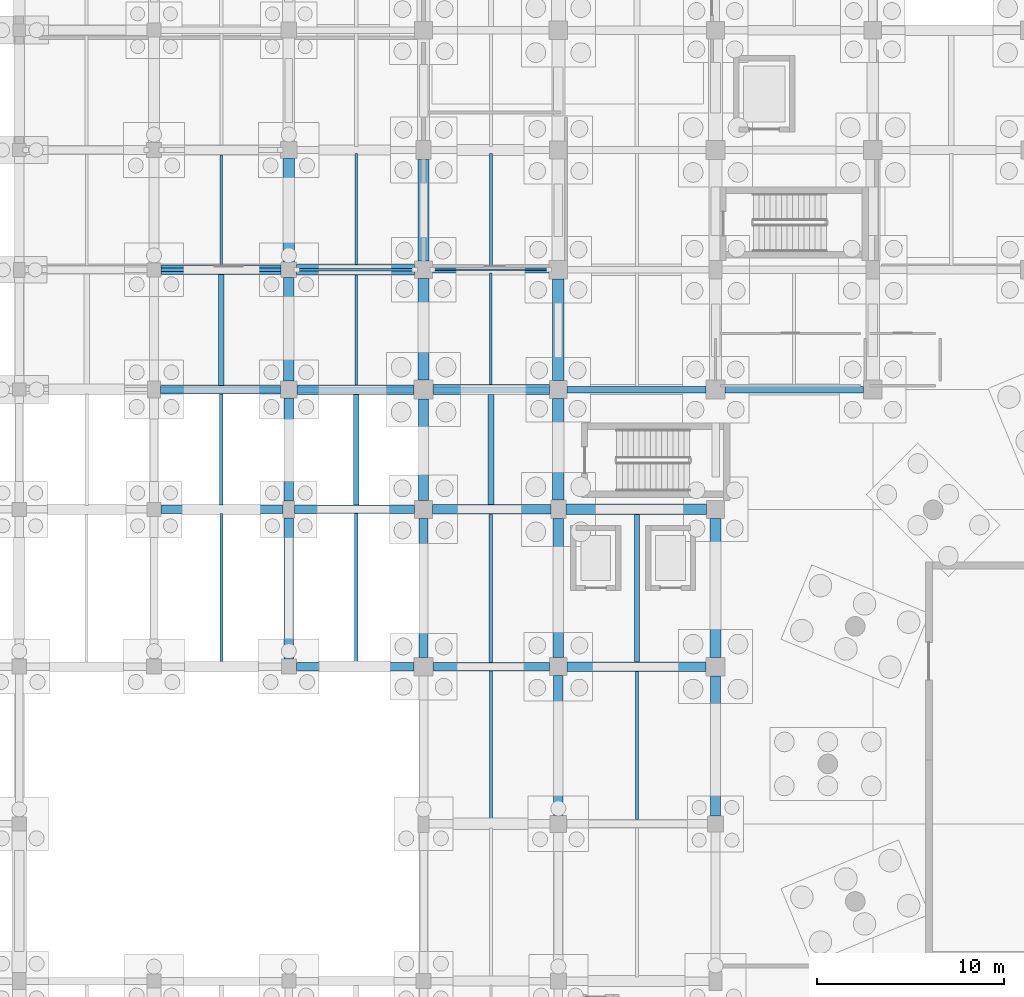
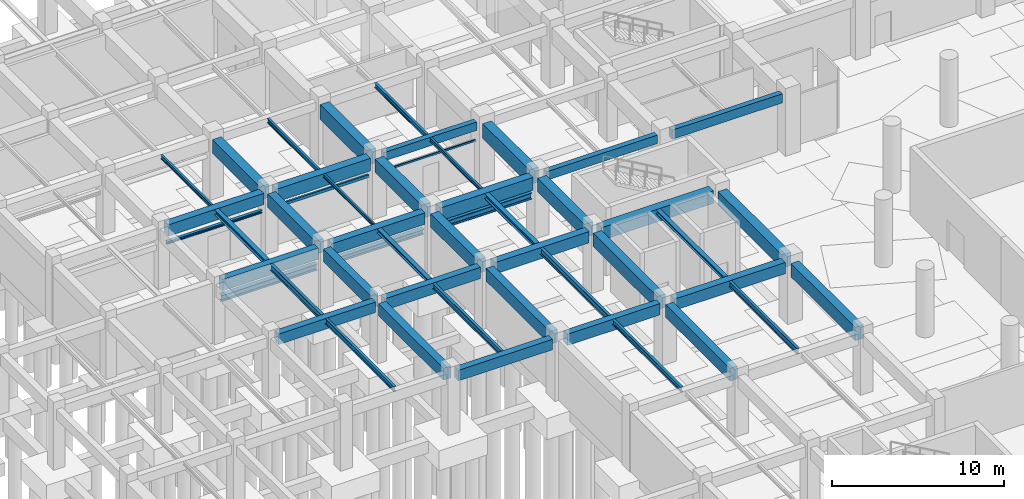
# One storey, part 22 of 44: 48 beams, 2 members.
"""IFC4 building model written with IfcOpenShell, lengths in metres."""

from ifc_helpers import new_model, si_unit, direction, frame, origin, origin_2d, place, context, subcontext, project, spatial, rectangle, hollow_rectangle, i_section, extrude, material, material_profile, profile_set, type_object, element, save


model = new_model("IFC4")

# Units and contexts
model_context = context("Model", 3, precision=1e-05, world=origin(), true_north=direction((0.0, 1.0)))
body_context = subcontext(model_context, "Body", "Model", "MODEL_VIEW")
ifc_project = project(units=[si_unit("LENGTHUNIT", "METRE"), si_unit("AREAUNIT", "SQUARE_METRE"), si_unit("VOLUMEUNIT", "CUBIC_METRE"), si_unit("PLANEANGLEUNIT", "RADIAN"), si_unit("MASSUNIT", "GRAM", prefix="KILO")], contexts=[model_context])

# Site, building, storey
site_placement = place(None, origin())
site = spatial("IfcSite", under=ifc_project, at=site_placement, CompositionType="ELEMENT")
building_placement = place(site_placement, origin())
building = spatial("IfcBuilding", under=site, at=building_placement, Name="Korsvaeld Concert Hall", CompositionType="ELEMENT")
storey_placement = place(building_placement, frame((0.0, 0.0, -4.800048828125)))
storey = spatial("IfcBuildingStorey", under=building, at=storey_placement, Name="B1", CompositionType="ELEMENT", Elevation=-4.800048828125)

# Beams
ifc_material_1 = material(Name="Steel S355J2", Category="steel")
ifc_material_profile_1 = material_profile(ifc_material_1, i_section(OverallWidth=0.199951171875, OverallDepth=0.18994140625, WebThickness=0.006591796875, FlangeThickness=0.010009765625, FilletRadius=0.01806640625, at=origin_2d()), Name="HEA 200")
ifc_profile_set_1 = profile_set([ifc_material_profile_1], Name="Steel S355J2")
beam_type_1 = type_object("IfcBeamType", Name="BM-LN-HEA200", PredefinedType="LINTEL", material=ifc_profile_set_1)
beam_1_placement = place(storey_placement, frame((29.175048828125, 89.60009765625, 2.85009765625), z_axis=(1.0, 0.0, 0.0), x_axis=(0.0, 1.0, 0.0)))
element("IfcBeam", 1, at=beam_1_placement, inside=storey, type_object=beam_type_1, Name="Basement lateral frame strut 10", PredefinedType="LINTEL", context=body_context, shape_type="SweptSolid", body=[
    extrude(i_section(OverallWidth=0.199951171875, OverallDepth=0.18994140625, WebThickness=0.006591796875, FlangeThickness=0.010009765625, FilletRadius=0.01806640625, at=origin_2d()), origin(), (0.0, 0.0, 1.0), 6.39990234375),
])
ifc_material_2 = material(Name="Concrete C35/45", Category="concrete")
ifc_material_profile_2 = material_profile(ifc_material_2, rectangle(XDim=0.35009765625, YDim=0.60009765625, at=origin_2d()), Name="RC 350x600")
ifc_profile_set_2 = profile_set([ifc_material_profile_2], Name="Concrete C35/45")
beam_type_2 = type_object("IfcBeamType", Name="BM-RC-350x600", PredefinedType="T_BEAM", material=ifc_profile_set_2)
beam_2_placement = place(storey_placement, frame((50.875, 83.199951171875, 3.949951171875), z_axis=(1.0, 0.0, 0.0), x_axis=(0.0, 1.0, 0.0)))
element("IfcBeam", 2, at=beam_2_placement, inside=storey, type_object=beam_type_2, Name="Primary girder 8-9/M B1", PredefinedType="T_BEAM", context=body_context, shape_type="SweptSolid", body=[
    extrude(rectangle(XDim=0.35009765625, YDim=0.60009765625, at=origin_2d()), origin(), (0.0, 0.0, 1.0), 7.425048828125),
])
beam_3_placement = place(storey_placement, frame((43.675048828125, 89.60009765625, 3.949951171875), z_axis=(1.0, 0.0, 0.0), x_axis=(0.0, 1.0, 0.0)))
element("IfcBeam", 3, at=beam_3_placement, inside=storey, type_object=beam_type_2, Name="Primary girder 7-8/N B1", PredefinedType="T_BEAM", context=body_context, shape_type="SweptSolid", body=[
    extrude(rectangle(XDim=0.35009765625, YDim=0.60009765625, at=origin_2d()), origin(), (0.0, 0.0, 1.0), 6.224853515625),
])
ifc_material_profile_3 = material_profile(ifc_material_2, rectangle(XDim=0.35009765625, YDim=0.64990234375, at=origin_2d()), Name="RC 350x650")
ifc_profile_set_3 = profile_set([ifc_material_profile_3], Name="Concrete C35/45")
beam_type_3 = type_object("IfcBeamType", Name="BM-RC-350x650", PredefinedType="T_BEAM", material=ifc_profile_set_3)
beam_4_placement = place(storey_placement, frame((59.300048828125, 83.199951171875, 3.925048828125), z_axis=(1.0, 0.0, 0.0), x_axis=(0.0, 1.0, 0.0)))
element("IfcBeam", 4, at=beam_4_placement, inside=storey, type_object=beam_type_3, Name="Primary girder 9-10/M B1", PredefinedType="T_BEAM", context=body_context, shape_type="SweptSolid", body=[
    extrude(rectangle(XDim=0.35009765625, YDim=0.64990234375, at=origin_2d()), origin(), (0.0, 0.0, 1.0), 7.39990234375),
])
ifc_material_profile_4 = material_profile(ifc_material_2, rectangle(XDim=0.449951171875, YDim=0.75, at=origin_2d()), Name="RC 450x750")
ifc_profile_set_4 = profile_set([ifc_material_profile_4], Name="Concrete C35/45")
beam_type_4 = type_object("IfcBeamType", Name="BM-RC-450x750", PredefinedType="T_BEAM", material=ifc_profile_set_4)
beam_5_placement = place(storey_placement, frame((36.39990234375, 68.39990234375, 3.875), z_axis=(1.0, 0.0, 0.0), x_axis=(0.0, 1.0, 0.0)))
element("IfcBeam", 5, at=beam_5_placement, inside=storey, type_object=beam_type_4, Name="Primary girder 6-7/K B1", PredefinedType="T_BEAM", context=body_context, shape_type="SweptSolid", body=[
    extrude(rectangle(XDim=0.449951171875, YDim=0.75, at=origin_2d()), origin(), (0.0, 0.0, 1.0), 6.300048828125),
])
beam_6_placement = place(storey_placement, frame((29.175048828125, 76.800048828125, 3.875), z_axis=(1.0, 0.0, 0.0), x_axis=(0.0, 1.0, 0.0)))
element("IfcBeam", 6, at=beam_6_placement, inside=storey, type_object=beam_type_4, Name="Primary girder 5-6/L B1", PredefinedType="T_BEAM", context=body_context, shape_type="SweptSolid", body=[
    extrude(rectangle(XDim=0.449951171875, YDim=0.75, at=origin_2d()), origin(), (0.0, 0.0, 1.0), 6.52490234375),
])
ifc_material_profile_5 = material_profile(ifc_material_2, rectangle(XDim=0.449951171875, YDim=0.800048828125, at=origin_2d()), Name="RC 450x800")
ifc_profile_set_5 = profile_set([ifc_material_profile_5], Name="Concrete C35/45")
beam_type_5 = type_object("IfcBeamType", Name="BM-RC-450x800", PredefinedType="T_BEAM", material=ifc_profile_set_5)
beam_7_placement = place(storey_placement, frame((43.699951171875, 68.39990234375, 3.85009765625), z_axis=(1.0, 0.0, 0.0), x_axis=(0.0, 1.0, 0.0)))
element("IfcBeam", 7, at=beam_7_placement, inside=storey, type_object=beam_type_5, Name="Primary girder 7-8/K B1", PredefinedType="T_BEAM", context=body_context, shape_type="SweptSolid", body=[
    extrude(rectangle(XDim=0.449951171875, YDim=0.800048828125, at=origin_2d()), origin(), (0.0, 0.0, 1.0), 6.22509765625),
])
beam_8_placement = place(storey_placement, frame((36.300048828125, 76.800048828125, 3.85009765625), z_axis=(1.0, 0.0, 0.0), x_axis=(0.0, 1.0, 0.0)))
element("IfcBeam", 8, at=beam_8_placement, inside=storey, type_object=beam_type_5, Name="Primary girder 6-7/L B1", PredefinedType="T_BEAM", context=body_context, shape_type="SweptSolid", body=[
    extrude(rectangle(XDim=0.449951171875, YDim=0.800048828125, at=origin_2d()), origin(), (0.0, 0.0, 1.0), 6.425048828125),
])
beam_9_placement = place(storey_placement, frame((29.14990234375, 83.199951171875, 3.85009765625), z_axis=(1.0, 0.0, 0.0), x_axis=(0.0, 1.0, 0.0)))
element("IfcBeam", 9, at=beam_9_placement, inside=storey, type_object=beam_type_5, Name="Primary girder 5-6/M B1", PredefinedType="T_BEAM", context=body_context, shape_type="SweptSolid", body=[
    extrude(rectangle(XDim=0.449951171875, YDim=0.800048828125, at=origin_2d()), origin(), (0.0, 0.0, 1.0), 6.400146484375),
])
ifc_material_3 = material(Name="Concrete C40/50", Category="concrete")
ifc_material_profile_6 = material_profile(ifc_material_3, rectangle(XDim=0.5, YDim=0.800048828125, at=origin_2d()), Name="RC 500x800")
ifc_profile_set_6 = profile_set([ifc_material_profile_6], Name="Concrete C40/50")
beam_type_6 = type_object("IfcBeamType", Name="BM-RC-500x800", PredefinedType="T_BEAM", material=ifc_profile_set_6)
beam_10_placement = place(storey_placement, frame((50.875, 68.39990234375, 3.85009765625), z_axis=(1.0, 0.0, 0.0), x_axis=(0.0, 1.0, 0.0)))
element("IfcBeam", 10, at=beam_10_placement, inside=storey, type_object=beam_type_6, Name="Primary girder 8-9/K B1", PredefinedType="T_BEAM", context=body_context, shape_type="SweptSolid", body=[
    extrude(rectangle(XDim=0.5, YDim=0.800048828125, at=origin_2d()), origin(), (0.0, 0.0, 1.0), 7.425048828125),
])
beam_11_placement = place(storey_placement, frame((43.675048828125, 76.800048828125, 3.85009765625), z_axis=(1.0, 0.0, 0.0), x_axis=(0.0, 1.0, 0.0)))
element("IfcBeam", 11, at=beam_11_placement, inside=storey, type_object=beam_type_6, Name="Primary girder 7-8/L B1", PredefinedType="T_BEAM", context=body_context, shape_type="SweptSolid", body=[
    extrude(rectangle(XDim=0.5, YDim=0.800048828125, at=origin_2d()), origin(), (0.0, 0.0, 1.0), 6.324951171875),
])
beam_12_placement = place(storey_placement, frame((36.449951171875, 83.199951171875, 3.85009765625), z_axis=(1.0, 0.0, 0.0), x_axis=(0.0, 1.0, 0.0)))
element("IfcBeam", 12, at=beam_12_placement, inside=storey, type_object=beam_type_6, Name="Primary girder 6-7/M B1", PredefinedType="T_BEAM", context=body_context, shape_type="SweptSolid", body=[
    extrude(rectangle(XDim=0.5, YDim=0.800048828125, at=origin_2d()), origin(), (0.0, 0.0, 1.0), 6.25),
])
beam_13_placement = place(storey_placement, frame((29.175048828125, 89.60009765625, 3.85009765625), z_axis=(1.0, 0.0, 0.0), x_axis=(0.0, 1.0, 0.0)))
element("IfcBeam", 13, at=beam_13_placement, inside=storey, type_object=beam_type_6, Name="Primary girder 5-6/N B1", PredefinedType="T_BEAM", context=body_context, shape_type="SweptSolid", body=[
    extrude(rectangle(XDim=0.5, YDim=0.800048828125, at=origin_2d()), origin(), (0.0, 0.0, 1.0), 6.39990234375),
])
ifc_material_profile_7 = material_profile(ifc_material_3, rectangle(XDim=0.5, YDim=0.85009765625, at=origin_2d()), Name="RC 500x850")
ifc_profile_set_7 = profile_set([ifc_material_profile_7], Name="Concrete C40/50")
beam_type_7 = type_object("IfcBeamType", Name="BM-RC-500x850", PredefinedType="T_BEAM", material=ifc_profile_set_7)
beam_14_placement = place(storey_placement, frame((36.0, 68.800048828125, 3.824951171875), z_axis=(0.0, 1.0, 0.0), x_axis=(-1.0, 0.0, 0.0)))
element("IfcBeam", 14, at=beam_14_placement, inside=storey, type_object=beam_type_7, Name="Primary girder 6/K-L B1", PredefinedType="T_BEAM", context=body_context, shape_type="SweptSolid", body=[
    extrude(rectangle(XDim=0.5, YDim=0.85009765625, at=origin_2d()), origin(), (0.0, 0.0, 1.0), 7.550048828125),
])
ifc_material_profile_8 = material_profile(ifc_material_3, rectangle(XDim=0.5, YDim=0.89990234375, at=origin_2d()), Name="RC 500x900")
ifc_profile_set_8 = profile_set([ifc_material_profile_8], Name="Concrete C40/50")
beam_type_8 = type_object("IfcBeamType", Name="BM-RC-500x900", PredefinedType="T_BEAM", material=ifc_profile_set_8)
beam_15_placement = place(storey_placement, frame((36.0, 77.25, 3.800048828125), z_axis=(0.0, 1.0, 0.0), x_axis=(-1.0, 0.0, 0.0)))
element("IfcBeam", 15, at=beam_15_placement, inside=storey, type_object=beam_type_8, Name="Primary girder 6/L-M B1", PredefinedType="T_BEAM", context=body_context, shape_type="SweptSolid", body=[
    extrude(rectangle(XDim=0.5, YDim=0.89990234375, at=origin_2d()), origin(), (0.0, 0.0, 1.0), 5.5),
])
beam_16_placement = place(storey_placement, frame((43.199951171875, 68.89990234375, 3.800048828125), z_axis=(0.0, 1.0, 0.0), x_axis=(-1.0, 0.0, 0.0)))
element("IfcBeam", 16, at=beam_16_placement, inside=storey, type_object=beam_type_8, Name="Primary girder 7/K-L B1", PredefinedType="T_BEAM", context=body_context, shape_type="SweptSolid", body=[
    extrude(rectangle(XDim=0.5, YDim=0.89990234375, at=origin_2d()), origin(), (0.0, 0.0, 1.0), 7.425048828125),
])
beam_17_placement = place(storey_placement, frame((50.39990234375, 60.449951171875, 3.800048828125), z_axis=(0.0, 1.0, 0.0), x_axis=(-1.0, 0.0, 0.0)))
element("IfcBeam", 17, at=beam_17_placement, inside=storey, type_object=beam_type_8, Name="Primary girder 8/J-K B1", PredefinedType="T_BEAM", context=body_context, shape_type="SweptSolid", body=[
    extrude(rectangle(XDim=0.5, YDim=0.89990234375, at=origin_2d()), origin(), (0.0, 0.0, 1.0), 7.47509765625),
])
ifc_material_profile_9 = material_profile(ifc_material_3, rectangle(XDim=0.550048828125, YDim=0.89990234375, at=origin_2d()), Name="RC 550x900")
ifc_profile_set_9 = profile_set([ifc_material_profile_9], Name="Concrete C40/50")
beam_type_9 = type_object("IfcBeamType", Name="BM-RC-550x900", PredefinedType="T_BEAM", material=ifc_profile_set_9)
beam_18_placement = place(storey_placement, frame((50.800048828125, 76.800048828125, 3.800048828125), z_axis=(1.0, 0.0, 0.0), x_axis=(0.0, 1.0, 0.0)))
element("IfcBeam", 18, at=beam_18_placement, inside=storey, type_object=beam_type_9, Name="Primary girder 8-9/L B1", PredefinedType="T_BEAM", context=body_context, shape_type="SweptSolid", body=[
    extrude(rectangle(XDim=0.550048828125, YDim=0.89990234375, at=origin_2d()), origin(), (0.0, 0.0, 1.0), 7.52490234375),
])
beam_19_placement = place(storey_placement, frame((43.699951171875, 83.199951171875, 3.800048828125), z_axis=(1.0, 0.0, 0.0), x_axis=(0.0, 1.0, 0.0)))
element("IfcBeam", 19, at=beam_19_placement, inside=storey, type_object=beam_type_9, Name="Primary girder 7-8/M B1", PredefinedType="T_BEAM", context=body_context, shape_type="SweptSolid", body=[
    extrude(rectangle(XDim=0.550048828125, YDim=0.89990234375, at=origin_2d()), origin(), (0.0, 0.0, 1.0), 6.22509765625),
])
beam_20_placement = place(storey_placement, frame((36.425048828125, 89.60009765625, 3.800048828125), z_axis=(1.0, 0.0, 0.0), x_axis=(0.0, 1.0, 0.0)))
element("IfcBeam", 20, at=beam_20_placement, inside=storey, type_object=beam_type_9, Name="Primary girder 6-7/N B1", PredefinedType="T_BEAM", context=body_context, shape_type="SweptSolid", body=[
    extrude(rectangle(XDim=0.550048828125, YDim=0.89990234375, at=origin_2d()), origin(), (0.0, 0.0, 1.0), 6.300048828125),
])
ifc_material_profile_10 = material_profile(ifc_material_3, rectangle(XDim=0.550048828125, YDim=0.949951171875, at=origin_2d()), Name="RC 550x950")
ifc_profile_set_10 = profile_set([ifc_material_profile_10], Name="Concrete C40/50")
beam_type_10 = type_object("IfcBeamType", Name="BM-RC-550x950", PredefinedType="T_BEAM", material=ifc_profile_set_10)
beam_21_placement = place(storey_placement, frame((36.0, 83.64990234375, 3.775146484375), z_axis=(0.0, 1.0, 0.0), x_axis=(-1.0, 0.0, 0.0)))
element("IfcBeam", 21, at=beam_21_placement, inside=storey, type_object=beam_type_10, Name="Primary girder 6/M-N B1", PredefinedType="T_BEAM", context=body_context, shape_type="SweptSolid", body=[
    extrude(rectangle(XDim=0.550048828125, YDim=0.949951171875, at=origin_2d()), origin(), (0.0, 0.0, 1.0), 5.525146484375),
])
beam_22_placement = place(storey_placement, frame((43.199951171875, 77.27490234375, 3.775146484375), z_axis=(0.0, 1.0, 0.0), x_axis=(-1.0, 0.0, 0.0)))
element("IfcBeam", 22, at=beam_22_placement, inside=storey, type_object=beam_type_10, Name="Primary girder 7/L-M B1", PredefinedType="T_BEAM", context=body_context, shape_type="SweptSolid", body=[
    extrude(rectangle(XDim=0.550048828125, YDim=0.949951171875, at=origin_2d()), origin(), (0.0, 0.0, 1.0), 5.425048828125),
])
beam_23_placement = place(storey_placement, frame((50.39990234375, 68.875, 3.775146484375), z_axis=(0.0, 1.0, 0.0), x_axis=(-1.0, 0.0, 0.0)))
element("IfcBeam", 23, at=beam_23_placement, inside=storey, type_object=beam_type_10, Name="Primary girder 8/K-L B1", PredefinedType="T_BEAM", context=body_context, shape_type="SweptSolid", body=[
    extrude(rectangle(XDim=0.550048828125, YDim=0.949951171875, at=origin_2d()), origin(), (0.0, 0.0, 1.0), 7.425048828125),
])
beam_24_placement = place(storey_placement, frame((58.800048828125, 60.425048828125, 3.775146484375), z_axis=(0.0, 1.0, 0.0), x_axis=(-1.0, 0.0, 0.0)))
element("IfcBeam", 24, at=beam_24_placement, inside=storey, type_object=beam_type_10, Name="Primary girder 9/J-K B1", PredefinedType="T_BEAM", context=body_context, shape_type="SweptSolid", body=[
    extrude(rectangle(XDim=0.550048828125, YDim=0.949951171875, at=origin_2d()), origin(), (0.0, 0.0, 1.0), 7.474853515625),
])
ifc_material_profile_11 = material_profile(ifc_material_3, rectangle(XDim=0.60009765625, YDim=1.050048828125, at=origin_2d()), Name="RC 600x1050")
ifc_profile_set_11 = profile_set([ifc_material_profile_11], Name="Concrete C40/50")
beam_type_11 = type_object("IfcBeamType", Name="BM-RC-600x1050", PredefinedType="T_BEAM", material=ifc_profile_set_11)
for number, where, z_axis, x_axis, name in (
    (25, (43.199951171875, 90.074951171875, 3.72509765625), (0.0, 1.0, 0.0), (-1.0, 0.0, 0.0), "Primary girder 7/N-P B1"),
    (26, (50.39990234375, 83.675048828125, 3.72509765625), (0.0, 1.0, 0.0), (-1.0, 0.0, 0.0), "Primary girder 8/M-N B1"),
):
    element("IfcBeam", number, at=place(storey_placement, frame(where, z_axis=z_axis, x_axis=x_axis)), inside=storey, type_object=beam_type_11, Name=name, PredefinedType="T_BEAM", context=body_context, shape_type="SweptSolid", body=[
        extrude(rectangle(XDim=0.60009765625, YDim=1.050048828125, at=origin_2d()), origin(), (0.0, 0.0, 1.0), 5.425048828125),
    ])
ifc_material_profile_12 = material_profile(ifc_material_3, rectangle(XDim=0.60009765625, YDim=0.949951171875, at=origin_2d()), Name="RC 600x950")
ifc_profile_set_12 = profile_set([ifc_material_profile_12], Name="Concrete C40/50")
beam_type_12 = type_object("IfcBeamType", Name="BM-RC-600x950", PredefinedType="T_BEAM", material=ifc_profile_set_12)
beam_25_placement = place(storey_placement, frame((36.0, 90.02490234375, 3.775146484375), z_axis=(0.0, 1.0, 0.0), x_axis=(-1.0, 0.0, 0.0)))
element("IfcBeam", 27, at=beam_25_placement, inside=storey, type_object=beam_type_12, Name="Primary girder 6/N-P B1", PredefinedType="T_BEAM", context=body_context, shape_type="SweptSolid", body=[
    extrude(rectangle(XDim=0.60009765625, YDim=0.949951171875, at=origin_2d()), origin(), (0.0, 0.0, 1.0), 5.525146484375),
])
for number, where, z_axis, x_axis, name in (
    (28, (43.199951171875, 83.699951171875, 3.775146484375), (0.0, 1.0, 0.0), (-1.0, 0.0, 0.0), "Primary girder 7/M-N B1"),
    (29, (50.39990234375, 77.300048828125, 3.775146484375), (0.0, 1.0, 0.0), (-1.0, 0.0, 0.0), "Primary girder 8/L-M B1"),
):
    element("IfcBeam", number, at=place(storey_placement, frame(where, z_axis=z_axis, x_axis=x_axis)), inside=storey, type_object=beam_type_12, Name=name, PredefinedType="T_BEAM", context=body_context, shape_type="SweptSolid", body=[
        extrude(rectangle(XDim=0.60009765625, YDim=0.949951171875, at=origin_2d()), origin(), (0.0, 0.0, 1.0), 5.425048828125),
    ])
beam_26_placement = place(storey_placement, frame((58.800048828125, 68.89990234375, 3.775146484375), z_axis=(0.0, 1.0, 0.0), x_axis=(-1.0, 0.0, 0.0)))
element("IfcBeam", 30, at=beam_26_placement, inside=storey, type_object=beam_type_12, Name="Primary girder 9/K-L B1", PredefinedType="T_BEAM", context=body_context, shape_type="SweptSolid", body=[
    extrude(rectangle(XDim=0.60009765625, YDim=0.949951171875, at=origin_2d()), origin(), (0.0, 0.0, 1.0), 7.425048828125),
])
ifc_material_profile_13 = material_profile(ifc_material_1, i_section(OverallWidth=0.280029296875, OverallDepth=0.27001953125, WebThickness=0.008056640625, FlangeThickness=0.012939453125, FilletRadius=0.02392578125, at=origin_2d()), Name="HEA 280")
ifc_profile_set_13 = profile_set([ifc_material_profile_13], Name="Steel S355J2")
beam_type_13 = type_object("IfcBeamType", Name="BM-STL-HEA280", PredefinedType="BEAM", material=ifc_profile_set_13)
beam_27_placement = place(storey_placement, frame((39.60009765625, 77.02490234375, 4.114990234375), z_axis=(0.0, 1.0, 0.0), x_axis=(-1.0, 0.0, 0.0)))
element("IfcBeam", 31, at=beam_27_placement, inside=storey, type_object=beam_type_13, Name="Secondary steel floor beam 6-7/L B1", PredefinedType="BEAM", context=body_context, shape_type="SweptSolid", body=[
    extrude(i_section(OverallWidth=0.280029296875, OverallDepth=0.27001953125, WebThickness=0.008056640625, FlangeThickness=0.012939453125, FilletRadius=0.02392578125, at=origin_2d()), origin(), (0.0, 0.0, 1.0), 5.925048828125),
])
beam_28_placement = place(storey_placement, frame((54.60009765625, 68.64990234375, 4.114990234375), z_axis=(0.0, 1.0, 0.0), x_axis=(-1.0, 0.0, 0.0)))
element("IfcBeam", 32, at=beam_28_placement, inside=storey, type_object=beam_type_13, Name="Secondary steel floor beam 8-9/K B1", PredefinedType="BEAM", context=body_context, shape_type="SweptSolid", body=[
    extrude(i_section(OverallWidth=0.280029296875, OverallDepth=0.27001953125, WebThickness=0.008056640625, FlangeThickness=0.012939453125, FilletRadius=0.02392578125, at=origin_2d()), origin(), (0.0, 0.0, 1.0), 7.875),
])
ifc_material_profile_14 = material_profile(ifc_material_1, i_section(OverallWidth=0.300048828125, OverallDepth=0.35009765625, WebThickness=0.010009765625, FlangeThickness=0.017578125, FilletRadius=0.027099609375, at=origin_2d()), Name="HEA 360")
ifc_profile_set_14 = profile_set([ifc_material_profile_14], Name="Steel S355J2")
beam_type_14 = type_object("IfcBeamType", Name="BM-STL-HEA360", PredefinedType="BEAM", material=ifc_profile_set_14)
beam_29_placement = place(storey_placement, frame((32.39990234375, 83.425048828125, 4.074951171875), z_axis=(0.0, 1.0, 0.0), x_axis=(-1.0, 0.0, 0.0)))
element("IfcBeam", 33, at=beam_29_placement, inside=storey, type_object=beam_type_14, Name="Secondary steel floor beam 5-6/M B1", PredefinedType="BEAM", context=body_context, shape_type="SweptSolid", body=[
    extrude(i_section(OverallWidth=0.300048828125, OverallDepth=0.35009765625, WebThickness=0.010009765625, FlangeThickness=0.017578125, FilletRadius=0.027099609375, at=origin_2d()), origin(), (0.0, 0.0, 1.0), 5.925048828125),
])
beam_30_placement = place(storey_placement, frame((46.800048828125, 77.050048828125, 4.074951171875), z_axis=(0.0, 1.0, 0.0), x_axis=(-1.0, 0.0, 0.0)))
element("IfcBeam", 34, at=beam_30_placement, inside=storey, type_object=beam_type_14, Name="Secondary steel floor beam 7-8/L B1", PredefinedType="BEAM", context=body_context, shape_type="SweptSolid", body=[
    extrude(i_section(OverallWidth=0.300048828125, OverallDepth=0.35009765625, WebThickness=0.010009765625, FlangeThickness=0.017578125, FilletRadius=0.027099609375, at=origin_2d()), origin(), (0.0, 0.0, 1.0), 5.875),
])
ifc_material_profile_15 = material_profile(ifc_material_1, i_section(OverallWidth=0.300048828125, OverallDepth=0.43994140625, WebThickness=0.011474609375, FlangeThickness=0.02099609375, FilletRadius=0.027099609375, at=origin_2d()), Name="HEA 450")
ifc_profile_set_15 = profile_set([ifc_material_profile_15], Name="Steel S355J2")
beam_type_15 = type_object("IfcBeamType", Name="BM-STL-HEA450", PredefinedType="USERDEFINED", material=ifc_profile_set_15)
beam_31_placement = place(storey_placement, frame((29.14990234375, 83.199951171875, 2.85009765625), z_axis=(1.0, 0.0, 0.0), x_axis=(0.0, 1.0, 0.0)))
element("IfcBeam", 35, at=beam_31_placement, inside=storey, type_object=beam_type_15, Name="Basement lateral frame strut 02", ObjectType="GIRDER", PredefinedType="USERDEFINED", context=body_context, shape_type="SweptSolid", body=[
    extrude(i_section(OverallWidth=0.300048828125, OverallDepth=0.43994140625, WebThickness=0.011474609375, FlangeThickness=0.02099609375, FilletRadius=0.027099609375, at=origin_2d()), origin(), (0.0, 0.0, 1.0), 6.400146484375),
])
ifc_material_profile_16 = material_profile(ifc_material_1, i_section(OverallWidth=0.300048828125, OverallDepth=0.360107421875, WebThickness=0.012451171875, FlangeThickness=0.0224609375, FilletRadius=0.027099609375, at=origin_2d()), Name="HEB 360")
ifc_profile_set_16 = profile_set([ifc_material_profile_16], Name="Steel S355J2")
beam_type_16 = type_object("IfcBeamType", Name="BM-STL-HEB360", PredefinedType="USERDEFINED", material=ifc_profile_set_16)
beam_32_placement = place(storey_placement, frame((36.449951171875, 83.199951171875, 2.85009765625), z_axis=(1.0, 0.0, 0.0), x_axis=(0.0, 1.0, 0.0)))
element("IfcBeam", 36, at=beam_32_placement, inside=storey, type_object=beam_type_16, Name="Basement lateral frame strut 03", ObjectType="GIRDER", PredefinedType="USERDEFINED", context=body_context, shape_type="SweptSolid", body=[
    extrude(i_section(OverallWidth=0.300048828125, OverallDepth=0.360107421875, WebThickness=0.012451171875, FlangeThickness=0.0224609375, FilletRadius=0.027099609375, at=origin_2d()), origin(), (0.0, 0.0, 1.0), 6.25),
])
ifc_material_profile_17 = material_profile(ifc_material_1, i_section(OverallWidth=0.300048828125, OverallDepth=0.449951171875, WebThickness=0.013916015625, FlangeThickness=0.02587890625, FilletRadius=0.027099609375, at=origin_2d()), Name="HEB 450")
ifc_profile_set_17 = profile_set([ifc_material_profile_17], Name="Steel S355J2")
beam_type_17 = type_object("IfcBeamType", Name="BM-STL-HEB450", PredefinedType="USERDEFINED", material=ifc_profile_set_17)
beam_33_placement = place(storey_placement, frame((43.699951171875, 83.199951171875, 2.85009765625), z_axis=(1.0, 0.0, 0.0), x_axis=(0.0, 1.0, 0.0)))
element("IfcBeam", 37, at=beam_33_placement, inside=storey, type_object=beam_type_17, Name="Basement lateral frame strut 04", ObjectType="GIRDER", PredefinedType="USERDEFINED", context=body_context, shape_type="SweptSolid", body=[
    extrude(i_section(OverallWidth=0.300048828125, OverallDepth=0.449951171875, WebThickness=0.013916015625, FlangeThickness=0.02587890625, FilletRadius=0.027099609375, at=origin_2d()), origin(), (0.0, 0.0, 1.0), 6.22509765625),
])
ifc_material_profile_18 = material_profile(ifc_material_1, i_section(OverallWidth=0.1201171875, OverallDepth=0.239990234375, WebThickness=0.006103515625, FlangeThickness=0.009765625, FilletRadius=0.014892578125, at=origin_2d()), Name="IPE 240")
ifc_profile_set_18 = profile_set([ifc_material_profile_18], Name="Steel S355J2")
beam_type_18 = type_object("IfcBeamType", Name="BM-STL-IPE240", PredefinedType="JOIST", material=ifc_profile_set_18)
beam_34_placement = place(storey_placement, frame((39.60009765625, 83.449951171875, 4.130126953125), z_axis=(0.0, 1.0, 0.0), x_axis=(-1.0, 0.0, 0.0)))
element("IfcBeam", 38, at=beam_34_placement, inside=storey, type_object=beam_type_18, Name="Secondary steel floor beam 6-7/M B1", PredefinedType="JOIST", context=body_context, shape_type="SweptSolid", body=[
    extrude(i_section(OverallWidth=0.1201171875, OverallDepth=0.239990234375, WebThickness=0.006103515625, FlangeThickness=0.009765625, FilletRadius=0.014892578125, at=origin_2d()), origin(), (0.0, 0.0, 1.0), 5.875),
])
ifc_material_profile_19 = material_profile(ifc_material_1, i_section(OverallWidth=0.135009765625, OverallDepth=0.27001953125, WebThickness=0.006591796875, FlangeThickness=0.01025390625, FilletRadius=0.014892578125, at=origin_2d()), Name="IPE 270")
ifc_profile_set_19 = profile_set([ifc_material_profile_19], Name="Steel S355J2")
beam_type_19 = type_object("IfcBeamType", Name="BM-STL-IPE270", PredefinedType="JOIST", material=ifc_profile_set_19)
beam_35_placement = place(storey_placement, frame((32.39990234375, 89.85009765625, 4.114990234375), z_axis=(0.0, 1.0, 0.0), x_axis=(-1.0, 0.0, 0.0)))
element("IfcBeam", 39, at=beam_35_placement, inside=storey, type_object=beam_type_19, Name="Secondary steel floor beam 5-6/N B1", PredefinedType="JOIST", context=body_context, shape_type="SweptSolid", body=[
    extrude(i_section(OverallWidth=0.135009765625, OverallDepth=0.27001953125, WebThickness=0.006591796875, FlangeThickness=0.01025390625, FilletRadius=0.014892578125, at=origin_2d()), origin(), (0.0, 0.0, 1.0), 5.875),
])
beam_36_placement = place(storey_placement, frame((46.800048828125, 83.47509765625, 4.114990234375), z_axis=(0.0, 1.0, 0.0), x_axis=(-1.0, 0.0, 0.0)))
element("IfcBeam", 40, at=beam_36_placement, inside=storey, type_object=beam_type_19, Name="Secondary steel floor beam 7-8/M B1", PredefinedType="JOIST", context=body_context, shape_type="SweptSolid", body=[
    extrude(i_section(OverallWidth=0.135009765625, OverallDepth=0.27001953125, WebThickness=0.006591796875, FlangeThickness=0.01025390625, FilletRadius=0.014892578125, at=origin_2d()), origin(), (0.0, 0.0, 1.0), 5.949951171875),
])
ifc_material_profile_20 = material_profile(ifc_material_1, i_section(OverallWidth=0.14990234375, OverallDepth=0.300048828125, WebThickness=0.007080078125, FlangeThickness=0.0107421875, FilletRadius=0.014892578125, at=origin_2d()), Name="IPE 300")
ifc_profile_set_20 = profile_set([ifc_material_profile_20], Name="Steel S355J2")
beam_type_20 = type_object("IfcBeamType", Name="BM-STL-IPE300", PredefinedType="JOIST", material=ifc_profile_set_20)
beam_37_placement = place(storey_placement, frame((39.60009765625, 89.875, 4.10009765625), z_axis=(0.0, 1.0, 0.0), x_axis=(-1.0, 0.0, 0.0)))
element("IfcBeam", 41, at=beam_37_placement, inside=storey, type_object=beam_type_20, Name="Secondary steel floor beam 6-7/N B1", PredefinedType="JOIST", context=body_context, shape_type="SweptSolid", body=[
    extrude(i_section(OverallWidth=0.14990234375, OverallDepth=0.300048828125, WebThickness=0.007080078125, FlangeThickness=0.0107421875, FilletRadius=0.014892578125, at=origin_2d()), origin(), (0.0, 0.0, 1.0), 5.949951171875),
])
ifc_material_profile_21 = material_profile(ifc_material_1, i_section(OverallWidth=0.159912109375, OverallDepth=0.330078125, WebThickness=0.007568359375, FlangeThickness=0.011474609375, FilletRadius=0.01806640625, at=origin_2d()), Name="IPE 330")
ifc_profile_set_21 = profile_set([ifc_material_profile_21], Name="Steel S355J2")
beam_type_21 = type_object("IfcBeamType", Name="BM-STL-IPE330", PredefinedType="BEAM", material=ifc_profile_set_21)
beam_38_placement = place(storey_placement, frame((46.800048828125, 89.77490234375, 4.0849609375), z_axis=(0.0, 1.0, 0.0), x_axis=(-1.0, 0.0, 0.0)))
element("IfcBeam", 42, at=beam_38_placement, inside=storey, type_object=beam_type_21, Name="Secondary steel floor beam 7-8/N B1", PredefinedType="BEAM", context=body_context, shape_type="SweptSolid", body=[
    extrude(i_section(OverallWidth=0.159912109375, OverallDepth=0.330078125, WebThickness=0.007568359375, FlangeThickness=0.011474609375, FilletRadius=0.01806640625, at=origin_2d()), origin(), (0.0, 0.0, 1.0), 6.050048828125),
])
ifc_material_profile_22 = material_profile(ifc_material_1, i_section(OverallWidth=0.169921875, OverallDepth=0.360107421875, WebThickness=0.008056640625, FlangeThickness=0.0126953125, FilletRadius=0.01806640625, at=origin_2d()), Name="IPE 360")
ifc_profile_set_22 = profile_set([ifc_material_profile_22], Name="Steel S355J2")
beam_type_22 = type_object("IfcBeamType", Name="BM-STL-IPE360", PredefinedType="BEAM", material=ifc_profile_set_22)
beam_39_placement = place(storey_placement, frame((32.39990234375, 68.60009765625, 4.070068359375), z_axis=(0.0, 1.0, 0.0), x_axis=(-1.0, 0.0, 0.0)))
element("IfcBeam", 43, at=beam_39_placement, inside=storey, type_object=beam_type_22, Name="Secondary steel floor beam 5-6/K B1", PredefinedType="BEAM", context=body_context, shape_type="SweptSolid", body=[
    extrude(i_section(OverallWidth=0.169921875, OverallDepth=0.360107421875, WebThickness=0.008056640625, FlangeThickness=0.0126953125, FilletRadius=0.01806640625, at=origin_2d()), origin(), (0.0, 0.0, 1.0), 7.974853515625),
])
beam_40_placement = place(storey_placement, frame((46.800048828125, 60.22509765625, 4.070068359375), z_axis=(0.0, 1.0, 0.0), x_axis=(-1.0, 0.0, 0.0)))
element("IfcBeam", 44, at=beam_40_placement, inside=storey, type_object=beam_type_22, Name="Secondary steel floor beam 7-8/J B1", PredefinedType="BEAM", context=body_context, shape_type="SweptSolid", body=[
    extrude(i_section(OverallWidth=0.169921875, OverallDepth=0.360107421875, WebThickness=0.008056640625, FlangeThickness=0.0126953125, FilletRadius=0.01806640625, at=origin_2d()), origin(), (0.0, 0.0, 1.0), 7.949951171875),
])
ifc_material_profile_23 = material_profile(ifc_material_1, i_section(OverallWidth=0.179931640625, OverallDepth=0.39990234375, WebThickness=0.008544921875, FlangeThickness=0.013427734375, FilletRadius=0.02099609375, at=origin_2d()), Name="IPE 400")
ifc_profile_set_23 = profile_set([ifc_material_profile_23], Name="Steel S355J2")
beam_type_23 = type_object("IfcBeamType", Name="BM-STL-IPE400", PredefinedType="BEAM", material=ifc_profile_set_23)
beam_41_placement = place(storey_placement, frame((39.60009765625, 68.625, 4.050048828125), z_axis=(0.0, 1.0, 0.0), x_axis=(-1.0, 0.0, 0.0)))
element("IfcBeam", 45, at=beam_41_placement, inside=storey, type_object=beam_type_23, Name="Secondary steel floor beam 6-7/K B1", PredefinedType="BEAM", context=body_context, shape_type="SweptSolid", body=[
    extrude(i_section(OverallWidth=0.179931640625, OverallDepth=0.39990234375, WebThickness=0.008544921875, FlangeThickness=0.013427734375, FilletRadius=0.02099609375, at=origin_2d()), origin(), (0.0, 0.0, 1.0), 7.949951171875),
])
beam_42_placement = place(storey_placement, frame((54.60009765625, 60.22509765625, 4.050048828125), z_axis=(0.0, 1.0, 0.0), x_axis=(-1.0, 0.0, 0.0)))
element("IfcBeam", 46, at=beam_42_placement, inside=storey, type_object=beam_type_23, Name="Secondary steel floor beam 8-9/J B1", PredefinedType="BEAM", context=body_context, shape_type="SweptSolid", body=[
    extrude(i_section(OverallWidth=0.179931640625, OverallDepth=0.39990234375, WebThickness=0.008544921875, FlangeThickness=0.013427734375, FilletRadius=0.02099609375, at=origin_2d()), origin(), (0.0, 0.0, 1.0), 7.9248046875),
])
ifc_material_profile_24 = material_profile(ifc_material_1, i_section(OverallWidth=0.18994140625, OverallDepth=0.449951171875, WebThickness=0.009521484375, FlangeThickness=0.0146484375, FilletRadius=0.02099609375, at=origin_2d()), Name="IPE 450")
ifc_profile_set_24 = profile_set([ifc_material_profile_24], Name="Steel S355J2")
beam_type_24 = type_object("IfcBeamType", Name="BM-STL-IPE450", PredefinedType="BEAM", material=ifc_profile_set_24)
beam_43_placement = place(storey_placement, frame((32.39990234375, 77.02490234375, 4.025146484375), z_axis=(0.0, 1.0, 0.0), x_axis=(-1.0, 0.0, 0.0)))
element("IfcBeam", 47, at=beam_43_placement, inside=storey, type_object=beam_type_24, Name="Secondary steel floor beam 5-6/L B1", PredefinedType="BEAM", context=body_context, shape_type="SweptSolid", body=[
    extrude(i_section(OverallWidth=0.18994140625, OverallDepth=0.449951171875, WebThickness=0.009521484375, FlangeThickness=0.0146484375, FilletRadius=0.02099609375, at=origin_2d()), origin(), (0.0, 0.0, 1.0), 5.9501953125),
])
beam_44_placement = place(storey_placement, frame((46.800048828125, 68.625, 4.025146484375), z_axis=(0.0, 1.0, 0.0), x_axis=(-1.0, 0.0, 0.0)))
element("IfcBeam", 48, at=beam_44_placement, inside=storey, type_object=beam_type_24, Name="Secondary steel floor beam 7-8/K B1", PredefinedType="BEAM", context=body_context, shape_type="SweptSolid", body=[
    extrude(i_section(OverallWidth=0.18994140625, OverallDepth=0.449951171875, WebThickness=0.009521484375, FlangeThickness=0.0146484375, FilletRadius=0.02099609375, at=origin_2d()), origin(), (0.0, 0.0, 1.0), 7.925048828125),
])

# Members
ifc_material_profile_25 = material_profile(ifc_material_1, hollow_rectangle(XDim=0.080078125, YDim=0.1201171875, WallThickness=0.00634765625, at=origin_2d()), Name="RHS 120x80x6.3")
ifc_profile_set_25 = profile_set([ifc_material_profile_25], Name="Steel S355J2")
member_type_1 = type_object("IfcMemberType", Name="MEM-STR-RHS120", PredefinedType="STRUT", material=ifc_profile_set_25)
member_1_placement = place(storey_placement, frame((43.675048828125, 89.60009765625, 2.85009765625), z_axis=(1.0, 0.0, 0.0), x_axis=(0.0, 1.0, 0.0)))
element("IfcMember", 49, at=member_1_placement, inside=storey, type_object=member_type_1, Name="Basement lateral frame strut 12", PredefinedType="STRUT", context=body_context, shape_type="SweptSolid", body=[
    extrude(hollow_rectangle(XDim=0.080078125, YDim=0.1201171875, WallThickness=0.00634765625, at=origin_2d()), origin(), (0.0, 0.0, 1.0), 6.224853515625),
])
ifc_material_profile_26 = material_profile(ifc_material_1, hollow_rectangle(XDim=0.1201171875, YDim=0.199951171875, WallThickness=0.010009765625, at=origin_2d()), Name="RHS 200x120x10")
ifc_profile_set_26 = profile_set([ifc_material_profile_26], Name="Steel S355J2")
member_type_2 = type_object("IfcMemberType", Name="MEM-STR-RHS200", PredefinedType="STRUT", material=ifc_profile_set_26)
member_2_placement = place(storey_placement, frame((36.425048828125, 89.60009765625, 2.85009765625), z_axis=(1.0, 0.0, 0.0), x_axis=(0.0, 1.0, 0.0)))
element("IfcMember", 50, at=member_2_placement, inside=storey, type_object=member_type_2, Name="Basement lateral frame strut 11", PredefinedType="STRUT", context=body_context, shape_type="SweptSolid", body=[
    extrude(hollow_rectangle(XDim=0.1201171875, YDim=0.199951171875, WallThickness=0.010009765625, at=origin_2d()), origin(), (0.0, 0.0, 1.0), 6.300048828125),
])

save(model, "model.ifc")
